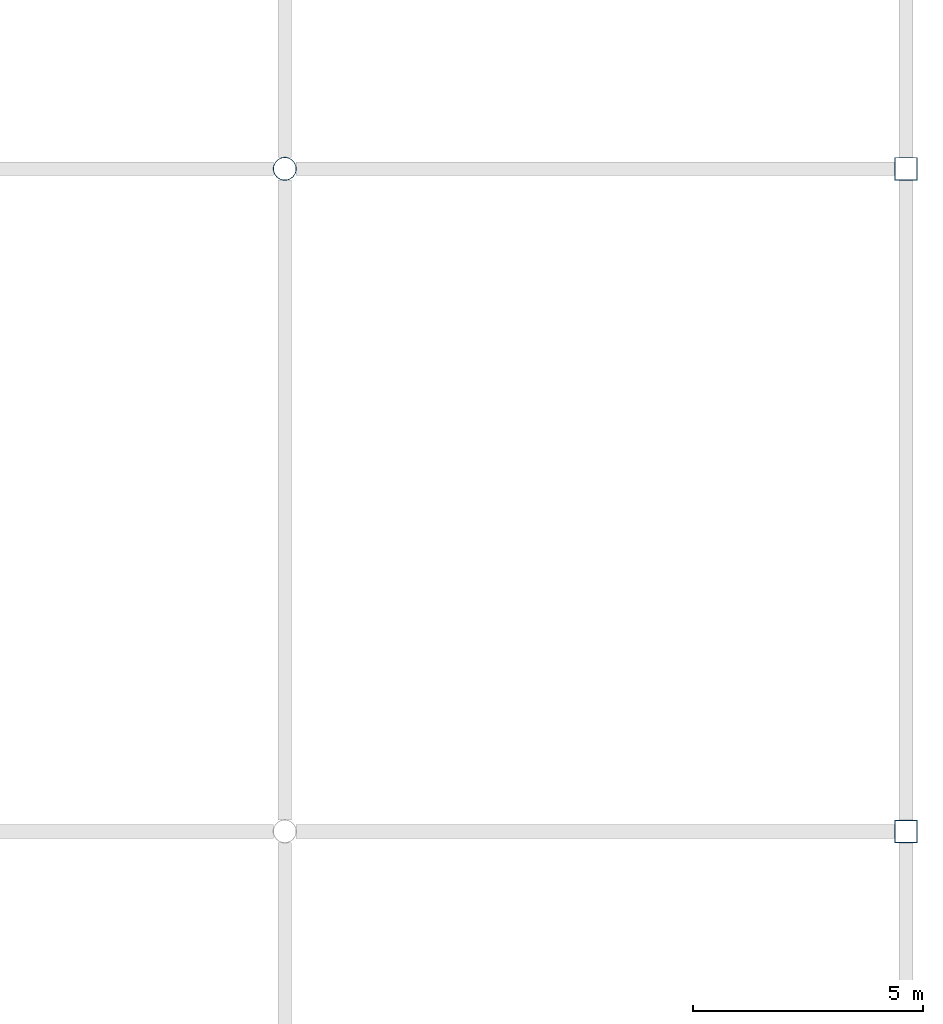
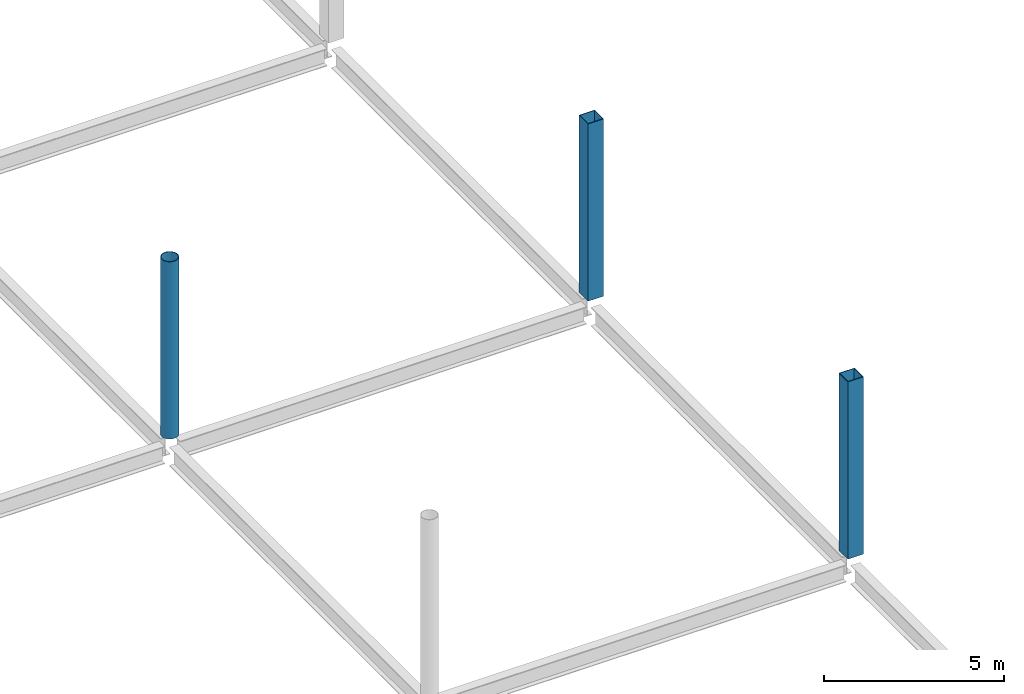
# One storey, part 17 of 191: 3 columns.
"""IFC4 building model written with IfcOpenShell, lengths in metres."""

from ifc_helpers import new_model, si_unit, direction, frame, origin, origin_2d, place, context, subcontext, project, spatial, hollow_rectangle, hollow_circle, extrude, material, material_profile, profile_set, type_object, element, save


model = new_model("IFC4")

# Units and contexts
model_context = context("Model", 3, precision=1e-05, world=origin(), true_north=direction((0.0, 1.0)))
body_context = subcontext(model_context, "Body", "Model", "MODEL_VIEW")
ifc_project = project(units=[si_unit("LENGTHUNIT", "METRE"), si_unit("AREAUNIT", "SQUARE_METRE"), si_unit("VOLUMEUNIT", "CUBIC_METRE"), si_unit("PLANEANGLEUNIT", "RADIAN"), si_unit("MASSUNIT", "GRAM", prefix="KILO")], contexts=[model_context])

# Site, building, storey
site_placement = place(None, origin())
site = spatial("IfcSite", under=ifc_project, at=site_placement, CompositionType="ELEMENT")
building_placement = place(site_placement, origin())
building = spatial("IfcBuilding", under=site, at=building_placement, Name="Tamarisk Ironworks Central Station", CompositionType="ELEMENT")
storey_placement = place(building_placement, frame((0.0, 0.0, 6.60009765625)))
storey = spatial("IfcBuildingStorey", under=building, at=storey_placement, Name="L01", CompositionType="ELEMENT", Elevation=6.60009765625)

# Columns
ifc_material = material(Name="Structural steel S355J2H", Category="steel")
ifc_material_profile_1 = material_profile(ifc_material, hollow_rectangle(XDim=0.5, YDim=0.5, WallThickness=0.02001953125, at=origin_2d()), Name="SHS 500x500x20")
ifc_profile_set_1 = profile_set([ifc_material_profile_1], Name="Structural steel S355J2H")
column_type_1 = type_object("IfcColumnType", Name="COL-S13", PredefinedType="COLUMN", material=ifc_profile_set_1)
for number, where, z_axis, x_axis, name in (
    (1, (180.0, 36.0, 0.0), (0.0, 0.0, 1.0), (1.0, 0.0, 0.0), "L01 column V1-20D"),
    (2, (180.0, 50.39990234375, 0.0), (0.0, 0.0, 1.0), (1.0, 0.0, 0.0), "L01 column V1-20E"),
):
    element("IfcColumn", number, at=place(storey_placement, frame(where, z_axis=z_axis, x_axis=x_axis)), inside=storey, type_object=column_type_1, Name=name, PredefinedType="COLUMN", context=body_context, shape_type="SweptSolid", body=[
        extrude(hollow_rectangle(XDim=0.5, YDim=0.5, WallThickness=0.02001953125, at=origin_2d()), origin(), (0.0, 0.0, 1.0), 6.0),
    ])
ifc_material_profile_2 = material_profile(ifc_material, hollow_circle(Radius=0.25390625, WallThickness=0.01611328125, at=origin_2d()), Name="CHS 508x16")
ifc_profile_set_2 = profile_set([ifc_material_profile_2], Name="Structural steel S355J2H")
column_type_2 = type_object("IfcColumnType", Name="COL-S16", PredefinedType="COLUMN", material=ifc_profile_set_2)
column_placement = place(storey_placement, frame((166.5, 50.39990234375, 0.0), z_axis=(0.0, 0.0, 1.0), x_axis=(1.0, 0.0, 0.0)))
element("IfcColumn", 3, at=column_placement, inside=storey, type_object=column_type_2, Name="L01 column V1-19E", PredefinedType="COLUMN", context=body_context, shape_type="SweptSolid", body=[
    extrude(hollow_circle(Radius=0.25390625, WallThickness=0.01611328125, at=origin_2d()), origin(), (0.0, 0.0, 1.0), 6.0),
])

save(model, "model.ifc")
